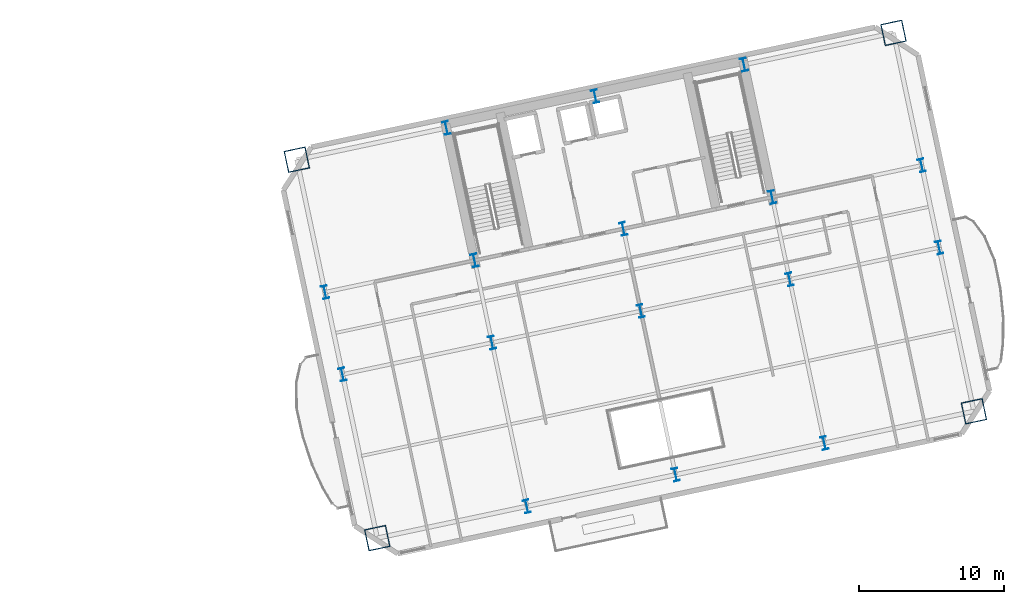
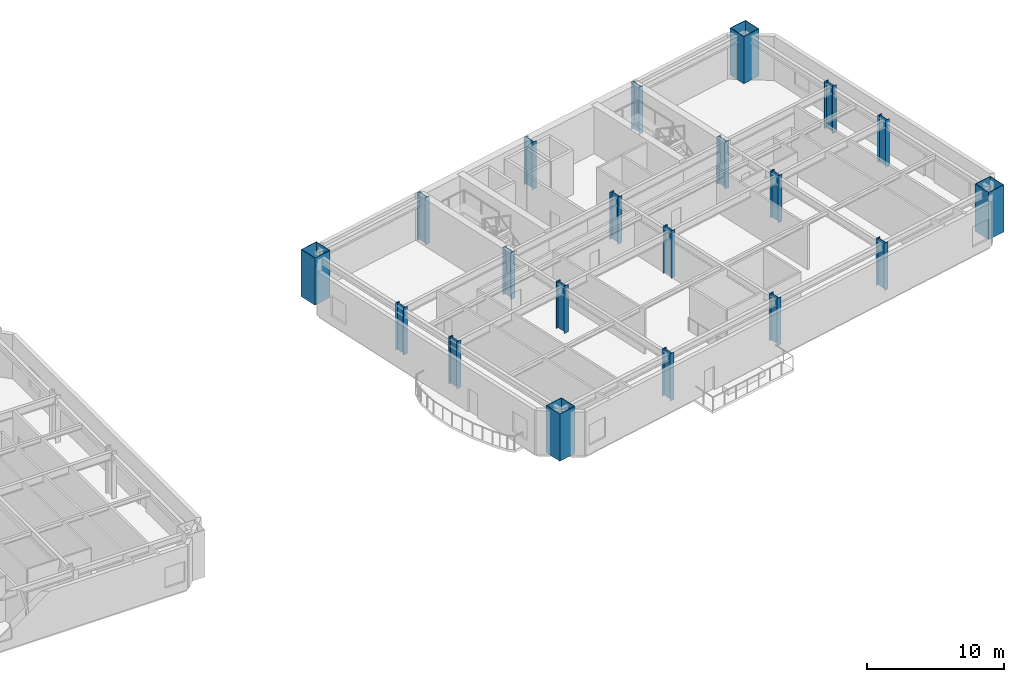
# One storey, part 2 of 15: 20 columns.
"""IFC4 building model written with IfcOpenShell, lengths in metres."""

from ifc_helpers import new_model, si_unit, direction, frame, origin, origin_2d, place, context, subcontext, project, spatial, hollow_rectangle, i_section, extrude, material, material_profile, profile_set, type_object, element, save


model = new_model("IFC4")

# Units and contexts
model_context = context("Model", 3, precision=1e-05, world=origin(), true_north=direction((0.0, 1.0)))
body_context = subcontext(model_context, "Body", "Model", "MODEL_VIEW")
ifc_project = project(units=[si_unit("LENGTHUNIT", "METRE"), si_unit("AREAUNIT", "SQUARE_METRE"), si_unit("VOLUMEUNIT", "CUBIC_METRE"), si_unit("PLANEANGLEUNIT", "RADIAN"), si_unit("MASSUNIT", "GRAM", prefix="KILO")], contexts=[model_context])

# Site, building, storey
site_placement = place(None, origin())
site = spatial("IfcSite", under=ifc_project, at=site_placement, CompositionType="ELEMENT")
building_placement = place(site_placement, origin())
building = spatial("IfcBuilding", under=site, at=building_placement, Name="Haevon Station Towers", CompositionType="ELEMENT")
storey_placement = place(building_placement, frame((0.0, 0.0, 73.5)))
storey = spatial("IfcBuildingStorey", under=building, at=storey_placement, Name="L19", CompositionType="ELEMENT", Elevation=73.5)

# Columns
ifc_material = material(Name="Steel S460", Category="steel")
ifc_material_profile_1 = material_profile(ifc_material, hollow_rectangle(XDim=1.5, YDim=1.5, WallThickness=0.0400390625, at=origin_2d()), Name="BOX-1500x1500x40")
ifc_profile_set_1 = profile_set([ifc_material_profile_1], Name="Steel S460")
column_type_1 = type_object("IfcColumnType", Name="COL-MC2", PredefinedType="COLUMN", material=ifc_profile_set_1)
for number, where, z_axis, x_axis, name in (
    (1, (92.040283203125, 18.278076171875, 0.0), (0.0, 0.0, 1.0), (0.978147600734, 0.207911690818, 0.0), "COL-T2-L19-01-01"),
    (2, (86.489013671875, 44.39453125, 0.0), (0.0, 0.0, 1.0), (0.978147600734, 0.207911690818, 0.0), "COL-T2-L19-01-04"),
    (3, (133.22021484375, 27.03125, 0.0), (0.0, 0.0, 1.0), (0.978147600734, 0.207911690818, 0.0), "COL-T2-L19-05-01"),
    (4, (127.6689453125, 53.147705078125, 0.0), (0.0, 0.0, 1.0), (0.978147600734, 0.207911690818, 0.0), "COL-T2-L19-05-04"),
):
    element("IfcColumn", number, at=place(storey_placement, frame(where, z_axis=z_axis, x_axis=x_axis)), inside=storey, type_object=column_type_1, Name=name, PredefinedType="COLUMN", context=body_context, shape_type="SweptSolid", body=[
        extrude(hollow_rectangle(XDim=1.5, YDim=1.5, WallThickness=0.0400390625, at=origin_2d()), origin(), (0.0, 0.0, 1.0), 4.199951171875),
    ])
ifc_material_profile_2 = material_profile(ifc_material, i_section(OverallWidth=0.39990234375, OverallDepth=0.89990234375, WebThickness=0.02001953125, FlangeThickness=0.035888671875, at=origin_2d()), Name="H-900x400x20x36")
ifc_profile_set_2 = profile_set([ifc_material_profile_2], Name="Steel S460")
column_type_2 = type_object("IfcColumnType", Name="COL-TW1", PredefinedType="COLUMN", material=ifc_profile_set_2)
for number, where, z_axis, x_axis, name in (
    (5, (89.638671875, 29.57568359375, 0.0), (0.0, 0.0, 1.0), (0.978147600734, 0.207911690818, 0.0), "COL-T2-L19-01-02"),
    (6, (88.432861328125, 35.2490234375, 0.0), (0.0, 0.0, 1.0), (0.978147600734, 0.207911690818, 0.0), "COL-T2-L19-01-03"),
    (7, (102.359619140625, 20.471435546875, 0.0), (0.0, 0.0, 1.0), (0.978147600734, 0.207911690818, 0.0), "COL-T2-L19-02-01"),
    (8, (99.958251953125, 31.76904296875, 0.0), (0.0, 0.0, 1.0), (0.978147600734, 0.207911690818, 0.0), "COL-T2-L19-02-02"),
    (9, (98.75244140625, 37.4423828125, 0.0), (0.0, 0.0, 1.0), (0.978147600734, 0.207911690818, 0.0), "COL-T2-L19-02-03"),
    (10, (96.808349609375, 46.588134765625, 0.0), (0.0, 0.0, 1.0), (0.978147600734, 0.207911690818, 0.0), "COL-T2-L19-02-04"),
    (11, (112.630126953125, 22.654541015625, 0.0), (0.0, 0.0, 1.0), (0.978147600734, 0.207911690818, 0.0), "COL-T2-L19-03-01"),
    (12, (110.228759765625, 33.9521484375, 0.0), (0.0, 0.0, 1.0), (0.978147600734, 0.207911690818, 0.0), "COL-T2-L19-03-02"),
    (13, (109.02294921875, 39.62548828125, 0.0), (0.0, 0.0, 1.0), (0.978147600734, 0.207911690818, 0.0), "COL-T2-L19-03-03"),
    (14, (107.078857421875, 48.771240234375, 0.0), (0.0, 0.0, 1.0), (0.978147600734, 0.207911690818, 0.0), "COL-T2-L19-03-04"),
    (15, (122.900634765625, 24.837646484375, 0.0), (0.0, 0.0, 1.0), (0.978147600734, 0.207911690818, 0.0), "COL-T2-L19-04-01"),
    (16, (120.499267578125, 36.13525390625, 0.0), (0.0, 0.0, 1.0), (0.978147600734, 0.207911690818, 0.0), "COL-T2-L19-04-02"),
    (17, (119.29345703125, 41.80859375, 0.0), (0.0, 0.0, 1.0), (0.978147600734, 0.207911690818, 0.0), "COL-T2-L19-04-03"),
    (18, (117.349365234375, 50.954345703125, 0.0), (0.0, 0.0, 1.0), (0.978147600734, 0.207911690818, 0.0), "COL-T2-L19-04-04"),
    (19, (130.81884765625, 38.328857421875, 0.0), (0.0, 0.0, 1.0), (0.978147600734, 0.207911690818, 0.0), "COL-T2-L19-05-02"),
    (20, (129.61279296875, 44.001953125, 0.0), (0.0, 0.0, 1.0), (0.978147600734, 0.207911690818, 0.0), "COL-T2-L19-05-03"),
):
    element("IfcColumn", number, at=place(storey_placement, frame(where, z_axis=z_axis, x_axis=x_axis)), inside=storey, type_object=column_type_2, Name=name, PredefinedType="COLUMN", context=body_context, shape_type="SweptSolid", body=[
        extrude(i_section(OverallWidth=0.39990234375, OverallDepth=0.89990234375, WebThickness=0.02001953125, FlangeThickness=0.035888671875, at=origin_2d()), origin(), (0.0, 0.0, 1.0), 4.199951171875),
    ])

save(model, "model.ifc")
